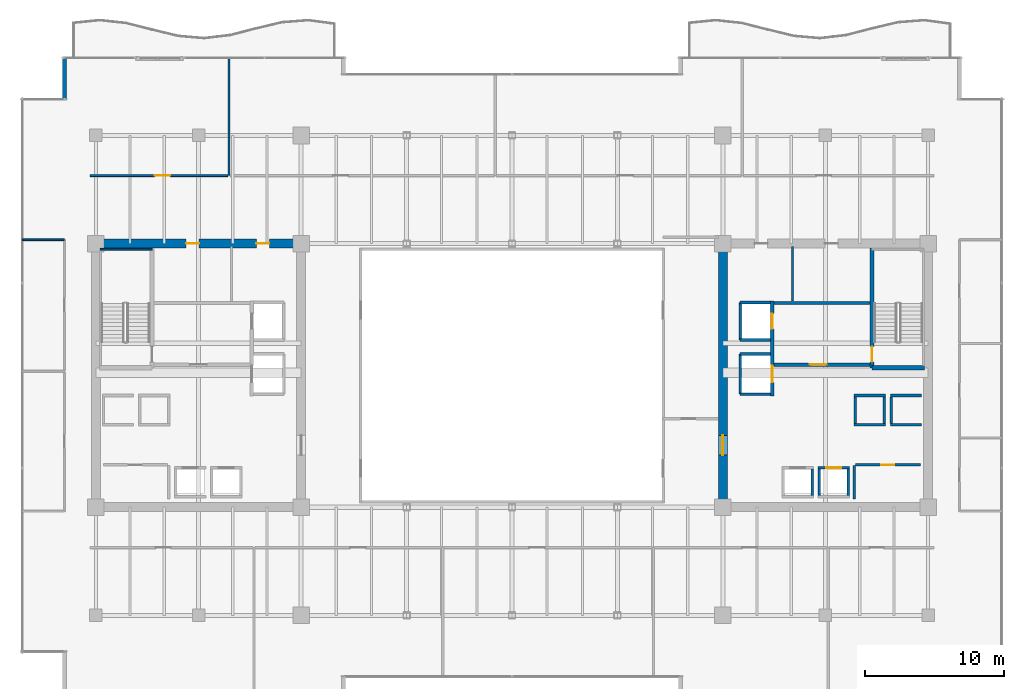
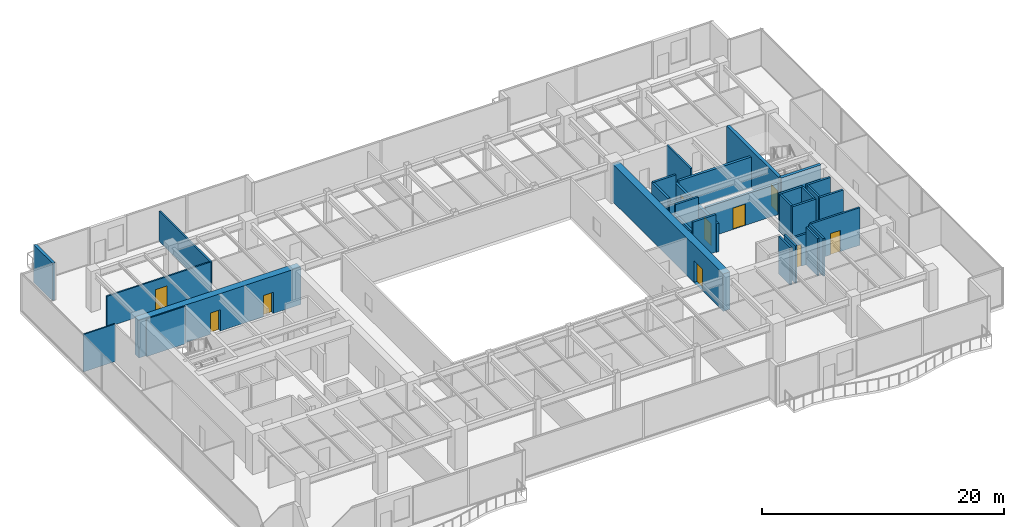
# One storey, part 25 of 30: 32 walls, 10 doors, 10 openings.
"""IFC4 building model written with IfcOpenShell, lengths in metres."""

from ifc_helpers import new_model, si_unit, direction, frame, frame_2d, origin, place, context, subcontext, project, spatial, rectangle, extrude, source, transform, mapped, material, layer, layer_set, type_object, type_shapes, element, fill, save


model = new_model("IFC4")

# Units and contexts
model_context = context("Model", 3, precision=1e-05, world=origin(), true_north=direction((0.0, 1.0)))
body_context = subcontext(model_context, "Body", "Model", "MODEL_VIEW")
ifc_project = project(units=[si_unit("LENGTHUNIT", "METRE"), si_unit("AREAUNIT", "SQUARE_METRE"), si_unit("VOLUMEUNIT", "CUBIC_METRE"), si_unit("PLANEANGLEUNIT", "RADIAN"), si_unit("MASSUNIT", "GRAM", prefix="KILO")], contexts=[model_context])

# Site, building, storey
site_placement = place(None, origin())
site = spatial("IfcSite", under=ifc_project, at=site_placement, CompositionType="ELEMENT")
building_placement = place(site_placement, origin())
building = spatial("IfcBuilding", under=site, at=building_placement, Name="Haelvirn Gate Laboratories", CompositionType="ELEMENT")
storey_placement = place(building_placement, frame((0.0, 0.0, 146.10009765625)))
storey = spatial("IfcBuildingStorey", under=building, at=storey_placement, Name="L35", CompositionType="ELEMENT", Elevation=146.10009765625)

# Walls
ifc_material_1 = material(Name="Thermally-broken bronze aluminium rainscreen & mineral wool", Category="aluminium")
ifc_layer_1 = layer(ifc_material_1, 0.280029296875, Name="EW-TERR-280")
ifc_layer_set_1 = layer_set([ifc_layer_1], Name="Thermally-broken bronze aluminium rainscreen & mineral wool")
wall_type_1 = type_object("IfcWallType", Name="EW-TERR-280", PredefinedType="STANDARD", material=ifc_layer_set_1)
wall_1_placement = place(storey_placement, frame((5.139892578125, 47.300048828125, 0.0), z_axis=(0.0, 0.0, 1.0), x_axis=(0.0, -1.0, 0.0)))
element("IfcWall", 1, at=wall_1_placement, inside=storey, type_object=wall_type_1, Name="L35 Atrium Recess Bronze Return Wall 15", PredefinedType="STANDARD", context=body_context, shape_type="SweptSolid", body=[
    extrude(rectangle(XDim=3.088134765625, YDim=0.280029296875, at=frame_2d((1.5439453125, 0.0))), origin(), (0.0, 0.0, 1.0), 3.789794921875),
])
ifc_material_2 = material(Name="Double-layer acoustic gypsum laboratory partition", Category="gypsum")
ifc_layer_2 = layer(ifc_material_2, 0.159912109375, Name="IW-ACOUST-160")
ifc_layer_set_2 = layer_set([ifc_layer_2], Name="Double-layer acoustic gypsum laboratory partition")
wall_type_2 = type_object("IfcWallType", Name="IW-ACOUST-160", PredefinedType="PARTITIONING", material=ifc_layer_set_2)
wall_2_placement = place(storey_placement, frame((17.0, 38.705078125, 0.0), z_axis=(0.0, 0.0, 1.0), x_axis=(0.0, 1.0, 0.0)))
element("IfcWall", 2, at=wall_2_placement, inside=storey, type_object=wall_type_2, Name="L35 Interior Wall IW-L35-NDIV-01", PredefinedType="PARTITIONING", context=body_context, shape_type="SweptSolid", body=[
    extrude(rectangle(XDim=8.48486328125, YDim=0.159912109375, at=frame_2d((4.242431640625, 0.0))), origin(), (0.0, 0.0, 1.0), 3.074951171875),
])
ifc_material_3 = material(Name="Lightweight acoustic gypsum board partition", Category="gypsum")
ifc_layer_3 = layer(ifc_material_3, 0.1201171875, Name="IW-PART-120")
ifc_layer_set_3 = layer_set([ifc_layer_3], Name="Lightweight acoustic gypsum board partition")
wall_type_3 = type_object("IfcWallType", Name="IW-PART-120", PredefinedType="PARTITIONING", material=ifc_layer_set_3)
wall_3_placement = place(storey_placement, frame((2.110107421875, 34.0849609375, 0.0), z_axis=(0.0, 0.0, 1.0), x_axis=(1.0, 0.0, 0.0)))
element("IfcWall", 3, at=wall_3_placement, inside=storey, type_object=wall_type_3, Name="L35 Interior Wall IW-L35-WCAP-N", PredefinedType="PARTITIONING", context=body_context, shape_type="SweptSolid", body=[
    extrude(rectangle(XDim=3.019775390625, YDim=0.1201171875, at=frame_2d((1.509765625, 0.0))), origin(), (0.0, 0.0, 1.0), 3.789794921875),
])

# Wall, opening, door
ifc_material_4 = material(Name="Acoustic mineral-wool gypsum board partition", Category="gypsum")
ifc_layer_4 = layer(ifc_material_4, 0.139892578125, Name="IW-PART-140")
ifc_layer_set_4 = layer_set([ifc_layer_4], Name="Acoustic mineral-wool gypsum board partition")
wall_type_4 = type_object("IfcWallType", Name="IW-PART-140", PredefinedType="PARTITIONING", material=ifc_layer_set_4)
wall_4_placement = place(storey_placement, frame((6.97998046875, 38.705078125, 0.0), z_axis=(0.0, 0.0, 1.0), x_axis=(1.0, 0.0, 0.0)))
wall_4 = element("IfcWall", 4, at=wall_4_placement, inside=storey, type_object=wall_type_4, Name="L35 Interior Wall IW-L35-NCORR-01", PredefinedType="PARTITIONING", context=body_context, shape_type="SweptSolid", body=[
    extrude(rectangle(XDim=9.93994140625, YDim=0.139892578125, at=frame_2d((4.969970703125, 0.0))), origin(), (0.0, 0.0, 1.0), 3.125),
])
opening_1_placement = place(wall_4_placement, frame((4.664306640625, 0.0, 0.0)))
opening_1 = element("IfcOpeningElement", 5, at=opening_1_placement, cuts=wall_4, Name="Opening D1", PredefinedType="OPENING", context=body_context, shape_type="SweptSolid", body=[
    extrude(rectangle(XDim=1.10009765625, YDim=2.179931640625, at=frame_2d((0.550048828125, 1.08984375))), frame((0.0, 0.080078125, 0.0), z_axis=(0.0, -1.0, 0.0), x_axis=(1.0, 0.0, 0.0)), (0.0, 0.0, 1.0), 0.159912109375),
])
ifc_material_5 = material(Name="Vision-panel acoustic solid-core timber lab door", Category="wood")
door_type_1 = type_object("IfcDoorType", Name="DR-LAB-1100", OperationType="NOTDEFINED", PredefinedType="DOOR", material=ifc_material_5)
shared_shape_1 = source(origin(), body_context, "Body", "SweptSolid", [
    extrude(rectangle(XDim=1.10009765625, YDim=2.179931640625, at=frame_2d((0.550048828125, 1.08984375))), frame((0.0, 0.02490234375, 0.0), z_axis=(0.0, -1.0, 0.0), x_axis=(1.0, 0.0, 0.0)), (0.0, 0.0, 1.0), 0.050048828125),
])
type_shapes(door_type_1, [shared_shape_1])
door_1_placement = place(opening_1_placement, origin())
door_1 = element("IfcDoor", 6, at=door_1_placement, inside=storey, type_object=door_type_1, Name="L35 Colloquium Conference Room Door N1", OperationType="SINGLE_SWING_LEFT", OverallHeight=2.179931640625, OverallWidth=1.10009765625, PredefinedType="DOOR", context=body_context, shape_type="MappedRepresentation", body=[
    mapped(shared_shape_1, transform((0.0, 0.0, 0.0), scale=1.0)),
])
fill(opening_1, door_1)

# Walls
ifc_material_6 = material(Name="Cement-board restroom plumbing chase wall", Category="gypsum")
ifc_layer_5 = layer(ifc_material_6, 0.155029296875, Name="IW-PLUMB-160")
ifc_layer_set_5 = layer_set([ifc_layer_5], Name="Cement-board restroom plumbing chase wall")
wall_type_5 = type_object("IfcWallType", Name="IW-PLUMB-160", PredefinedType="PLUMBINGWALL", material=ifc_layer_set_5)
wall_5_placement = place(storey_placement, frame((57.610107421875, 29.64990234375, 0.0), z_axis=(0.0, 0.0, 1.0), x_axis=(0.0, 1.0, 0.0)))
element("IfcWall", 7, at=wall_5_placement, inside=storey, type_object=wall_type_5, Name="L35 Interior Wall IW-L35-E-CDIV-1", PredefinedType="PLUMBINGWALL", context=body_context, shape_type="SweptSolid", body=[
    extrude(rectangle(XDim=3.93017578125, YDim=0.155029296875, at=frame_2d((1.965087890625, 0.0))), origin(), (0.0, 0.0, 1.0), 3.789794921875),
])
ifc_material_7 = material(Name="Concrete C40/50", Category="concrete")
ifc_layer_6 = layer(ifc_material_7, 0.179931640625, Name="IW-SHAFT-180")
ifc_layer_set_6 = layer_set([ifc_layer_6], Name="Concrete C40/50")
wall_type_6 = type_object("IfcWallType", Name="IW-SHAFT-180", PredefinedType="SOLIDWALL", material=ifc_layer_set_6)
for number, where, z_axis, x_axis, name in (
    (8, (59.550048828125, 15.64990234375, 0.0), (0.0, 0.0, 1.0), (0.0, 1.0, 0.0), "L35 Interior Wall IW-L35-PL7-SD"),
    (9, (61.64990234375, 15.64990234375, 0.0), (0.0, 0.0, 1.0), (0.0, 1.0, 0.0), "L35 Interior Wall IW-L35-PL7-SDE"),
    (10, (59.050048828125, 15.64990234375, 0.0), (0.0, 0.0, 1.0), (0.0, 1.0, 0.0), "L35 Interior Wall IW-L35-PL8-SDE"),
):
    element("IfcWall", number, at=place(storey_placement, frame(where, z_axis=z_axis, x_axis=x_axis)), inside=storey, type_object=wall_type_6, Name=name, PredefinedType="SOLIDWALL", context=body_context, shape_type="SweptSolid", body=[
        extrude(rectangle(XDim=1.900146484375, YDim=0.179931640625, at=frame_2d((0.9501953125, 0.0))), origin(), (0.0, 0.0, 1.0), 3.789794921875),
    ])
for number, where, z_axis, x_axis, name in (
    (11, (64.75, 20.85009765625, 0.0), (0.0, 0.0, 1.0), (0.0, 1.0, 0.0), "L35 Interior Wall IW-L35-PL11-SD"),
    (12, (62.14990234375, 20.85009765625, 0.0), (0.0, 0.0, 1.0), (0.0, 1.0, 0.0), "L35 Interior Wall IW-L35-PL12-SD"),
    (13, (64.25, 20.85009765625, 0.0), (0.0, 0.0, 1.0), (0.0, 1.0, 0.0), "L35 Interior Wall IW-L35-PL12-SDE"),
):
    element("IfcWall", number, at=place(storey_placement, frame(where, z_axis=z_axis, x_axis=x_axis)), inside=storey, type_object=wall_type_6, Name=name, PredefinedType="SOLIDWALL", context=body_context, shape_type="SweptSolid", body=[
        extrude(rectangle(XDim=1.89990234375, YDim=0.179931640625, at=frame_2d((0.949951171875, 0.0))), origin(), (0.0, 0.0, 1.0), 3.789794921875),
    ])

# Wall, opening, door
wall_6_placement = place(storey_placement, frame((62.14990234375, 17.85009765625, 0.0), z_axis=(0.0, 0.0, 1.0), x_axis=(1.0, 0.0, 0.0)))
wall_6 = element("IfcWall", 14, at=wall_6_placement, inside=storey, type_object=wall_type_6, Name="L35 Interior Wall IW-L35-E-FREED-LN-1", PredefinedType="SOLIDWALL", context=body_context, shape_type="SweptSolid", body=[
    extrude(rectangle(XDim=4.7001953125, YDim=0.179931640625, at=frame_2d((2.35009765625, 0.0))), origin(), (0.0, 0.0, 1.0), 3.789794921875),
])
opening_2_placement = place(wall_6_placement, frame((1.875, 0.0, 0.0)))
opening_2 = element("IfcOpeningElement", 15, at=opening_2_placement, cuts=wall_6, Name="Opening FD4", PredefinedType="OPENING", context=body_context, shape_type="SweptSolid", body=[
    extrude(rectangle(XDim=0.949951171875, YDim=2.14990234375, at=frame_2d((0.47509765625, 1.074951171875))), frame((0.0, 0.10009765625, 0.0), z_axis=(0.0, -1.0, 0.0), x_axis=(1.0, 0.0, 0.0)), (0.0, 0.0, 1.0), 0.199951171875),
])
ifc_material_8 = material(Name="Fire-rated steel SM355 core service door", Category="steel")
door_type_2 = type_object("IfcDoorType", Name="DR-FD-950", OperationType="NOTDEFINED", PredefinedType="DOOR", material=ifc_material_8)
shared_shape_2 = source(origin(), body_context, "Body", "SweptSolid", [
    extrude(rectangle(XDim=0.949951171875, YDim=2.14990234375, at=frame_2d((0.47509765625, 1.074951171875))), frame((0.0, 0.02490234375, 0.0), z_axis=(0.0, -1.0, 0.0), x_axis=(1.0, 0.0, 0.0)), (0.0, 0.0, 1.0), 0.050048828125),
])
type_shapes(door_type_2, [shared_shape_2])
door_2_placement = place(opening_2_placement, origin())
door_2 = element("IfcDoor", 16, at=door_2_placement, inside=storey, type_object=door_type_2, Name="L35 Cryogenic Specimen Biobank Door", OperationType="SINGLE_SWING_LEFT", OverallHeight=2.14990234375, OverallWidth=0.949951171875, PredefinedType="DOOR", context=body_context, shape_type="MappedRepresentation", body=[
    mapped(shared_shape_2, transform((0.0, 0.0, 0.0), scale=1.0)),
])
fill(opening_2, door_2)

# Wall
wall_7_placement = place(storey_placement, frame((62.06005859375, 15.39990234375, 0.0), z_axis=(0.0, 0.0, 1.0), x_axis=(0.0, 1.0, 0.0)))
element("IfcWall", 17, at=wall_7_placement, inside=storey, type_object=wall_type_6, Name="L35 Interior Wall IW-L35-E-FREED-LE-1", PredefinedType="SOLIDWALL", context=body_context, shape_type="SweptSolid", body=[
    extrude(rectangle(XDim=2.400146484375, YDim=0.179931640625, at=frame_2d((1.2001953125, 0.0))), origin(), (0.0, 0.0, 1.0), 3.789794921875),
])

# Wall, opening, door
ifc_layer_7 = layer(ifc_material_7, 0.199951171875, Name="IW-SHAFT-200")
ifc_layer_set_7 = layer_set([ifc_layer_7], Name="Concrete C40/50")
wall_type_7 = type_object("IfcWallType", Name="IW-SHAFT-200", PredefinedType="SOLIDWALL", material=ifc_layer_set_7)
wall_8_placement = place(storey_placement, frame((59.469970703125, 17.64990234375, 0.0), z_axis=(0.0, 0.0, 1.0), x_axis=(1.0, 0.0, 0.0)))
wall_8 = element("IfcWall", 18, at=wall_8_placement, inside=storey, type_object=wall_type_7, Name="L35 Interior Wall IW-L35-PL7-FR", PredefinedType="SOLIDWALL", context=body_context, shape_type="SweptSolid", body=[
    extrude(rectangle(XDim=2.260009765625, YDim=0.199951171875, at=frame_2d((1.1298828125, 0.0))), origin(), (0.0, 0.0, 1.0), 3.125),
])
opening_3_placement = place(wall_8_placement, frame((0.580078125, 0.0, 0.0)))
opening_3 = element("IfcOpeningElement", 19, at=opening_3_placement, cuts=wall_8, Name="Opening LD2", PredefinedType="OPENING", context=body_context, shape_type="SweptSolid", body=[
    extrude(rectangle(XDim=1.10009765625, YDim=2.219970703125, at=frame_2d((0.550048828125, 1.10986328125))), frame((0.0, 0.10986328125, 0.0), z_axis=(0.0, -1.0, 0.0), x_axis=(1.0, 0.0, 0.0)), (0.0, 0.0, 1.0), 0.219970703125),
])
ifc_material_9 = material(Name="Bronze stainless 316L sliding lift landing door")
door_type_3 = type_object("IfcDoorType", Name="DR-LD-1100", OperationType="NOTDEFINED", PredefinedType="USERDEFINED", material=ifc_material_9)
shared_shape_3 = source(origin(), body_context, "Body", "SweptSolid", [
    extrude(rectangle(XDim=1.10009765625, YDim=2.219970703125, at=frame_2d((0.550048828125, 1.10986328125))), frame((0.0, 0.02490234375, 0.0), z_axis=(0.0, -1.0, 0.0), x_axis=(1.0, 0.0, 0.0)), (0.0, 0.0, 1.0), 0.050048828125),
])
type_shapes(door_type_3, [shared_shape_3])
door_3_placement = place(opening_3_placement, origin())
door_3 = element("IfcDoor", 20, at=door_3_placement, inside=storey, type_object=door_type_3, Name="L35 Passenger Lift PL7 Landing Door", ObjectType="LANDING_DOOR", OperationType="SLIDING_TO_LEFT", OverallHeight=2.219970703125, OverallWidth=1.10009765625, PredefinedType="USERDEFINED", context=body_context, shape_type="MappedRepresentation", body=[
    mapped(shared_shape_3, transform((0.0, 0.0, 0.0), scale=1.0)),
])
fill(opening_3, door_3)

# Walls
for number, where, z_axis, x_axis, name in (
    (21, (64.669921875, 20.75, 0.0), (0.0, 0.0, 1.0), (1.0, 0.0, 0.0), "L35 Interior Wall IW-L35-PL11-FR"),
    (22, (64.669921875, 22.85009765625, 0.0), (0.0, 0.0, 1.0), (1.0, 0.0, 0.0), "L35 Interior Wall IW-L35-PL11-BK"),
    (23, (62.070068359375, 20.75, 0.0), (0.0, 0.0, 1.0), (1.0, 0.0, 0.0), "L35 Interior Wall IW-L35-PL12-FR"),
    (24, (62.070068359375, 22.85009765625, 0.0), (0.0, 0.0, 1.0), (1.0, 0.0, 0.0), "L35 Interior Wall IW-L35-PL12-BK"),
):
    element("IfcWall", number, at=place(storey_placement, frame(where, z_axis=z_axis, x_axis=x_axis)), inside=storey, type_object=wall_type_7, Name=name, PredefinedType="SOLIDWALL", context=body_context, shape_type="SweptSolid", body=[
        extrude(rectangle(XDim=2.260009765625, YDim=0.199951171875, at=frame_2d((1.1298828125, 0.0))), origin(), (0.0, 0.0, 1.0), 3.789794921875),
    ])
wall_9_placement = place(storey_placement, frame((53.85009765625, 26.85009765625, 0.0), z_axis=(0.0, 0.0, 1.0), x_axis=(0.0, 1.0, 0.0)))
element("IfcWall", 25, at=wall_9_placement, inside=storey, type_object=wall_type_7, Name="L35 Interior Wall IW-L35-FL2-BK", PredefinedType="SOLIDWALL", context=body_context, shape_type="SweptSolid", body=[
    extrude(rectangle(XDim=2.699951171875, YDim=0.199951171875, at=frame_2d((1.35009765625, 0.0))), origin(), (0.0, 0.0, 1.0), 3.789794921875),
])
wall_10_placement = place(storey_placement, frame((53.85009765625, 29.550048828125, 0.0), z_axis=(0.0, 0.0, 1.0), x_axis=(1.0, 0.0, 0.0)))
element("IfcWall", 26, at=wall_10_placement, inside=storey, type_object=wall_type_7, Name="L35 Interior Wall IW-L35-FL2-N", PredefinedType="SOLIDWALL", context=body_context, shape_type="SweptSolid", body=[
    extrude(rectangle(XDim=2.18994140625, YDim=0.199951171875, at=frame_2d((1.094970703125, 0.0))), origin(), (0.0, 0.0, 1.0), 3.789794921875),
])
wall_11_placement = place(storey_placement, frame((53.85009765625, 26.85009765625, 0.0), z_axis=(0.0, 0.0, 1.0), x_axis=(1.0, 0.0, 0.0)))
element("IfcWall", 27, at=wall_11_placement, inside=storey, type_object=wall_type_7, Name="L35 Interior Wall IW-L35-FL2-S", PredefinedType="SOLIDWALL", context=body_context, shape_type="SweptSolid", body=[
    extrude(rectangle(XDim=2.18994140625, YDim=0.199951171875, at=frame_2d((1.094970703125, 0.0))), origin(), (0.0, 0.0, 1.0), 3.18701171875),
])
wall_12_placement = place(storey_placement, frame((53.85009765625, 22.949951171875, 0.0), z_axis=(0.0, 0.0, 1.0), x_axis=(0.0, 1.0, 0.0)))
element("IfcWall", 28, at=wall_12_placement, inside=storey, type_object=wall_type_7, Name="L35 Interior Wall IW-L35-SL2-BK", PredefinedType="SOLIDWALL", context=body_context, shape_type="SweptSolid", body=[
    extrude(rectangle(XDim=2.900146484375, YDim=0.199951171875, at=frame_2d((1.4501953125, 0.0))), origin(), (0.0, 0.0, 1.0), 2.875),
])
for number, where, z_axis, x_axis, name in (
    (29, (53.85009765625, 25.85009765625, 0.0), (0.0, 0.0, 1.0), (1.0, 0.0, 0.0), "L35 Interior Wall IW-L35-SL2-N"),
    (30, (53.85009765625, 22.949951171875, 0.0), (0.0, 0.0, 1.0), (1.0, 0.0, 0.0), "L35 Interior Wall IW-L35-SL2-S"),
):
    element("IfcWall", number, at=place(storey_placement, frame(where, z_axis=z_axis, x_axis=x_axis)), inside=storey, type_object=wall_type_7, Name=name, PredefinedType="SOLIDWALL", context=body_context, shape_type="SweptSolid", body=[
        extrude(rectangle(XDim=2.18994140625, YDim=0.199951171875, at=frame_2d((1.094970703125, 0.0))), origin(), (0.0, 0.0, 1.0), 3.789794921875),
    ])

# Wall, opening, door
ifc_layer_8 = layer(ifc_material_7, 0.239990234375, Name="IW-SHAFT-240")
ifc_layer_set_8 = layer_set([ifc_layer_8], Name="Concrete C40/50")
wall_type_8 = type_object("IfcWallType", Name="IW-SHAFT-240", PredefinedType="SOLIDWALL", material=ifc_layer_set_8)
wall_13_placement = place(storey_placement, frame((56.280029296875, 25.080078125, 0.0), z_axis=(0.0, 0.0, 1.0), x_axis=(1.0, 0.0, 0.0)))
wall_13 = element("IfcWall", 31, at=wall_13_placement, inside=storey, type_object=wall_type_8, Name="L35 Interior Wall IW-L35-E-FF-S", PredefinedType="SOLIDWALL", context=body_context, shape_type="SweptSolid", body=[
    extrude(rectangle(XDim=6.919921875, YDim=0.239990234375, at=frame_2d((3.4599609375, 0.0))), origin(), (0.0, 0.0, 1.0), 3.125),
])
opening_4_placement = place(wall_13_placement, frame((2.60009765625, 0.0, 0.0)))
opening_4 = element("IfcOpeningElement", 32, at=opening_4_placement, cuts=wall_13, Name="Opening FD2", PredefinedType="OPENING", context=body_context, shape_type="SweptSolid", body=[
    extrude(rectangle(XDim=1.199951171875, YDim=2.159912109375, at=frame_2d((0.60009765625, 1.080078125))), frame((0.0, 0.1298828125, 0.0), z_axis=(0.0, -1.0, 0.0), x_axis=(1.0, 0.0, 0.0)), (0.0, 0.0, 1.0), 0.260009765625),
])
ifc_material_10 = material(Name="Fire-rated steel SM355 compartment door", Category="steel")
door_type_4 = type_object("IfcDoorType", Name="DR-FD-1200", OperationType="NOTDEFINED", PredefinedType="DOOR", material=ifc_material_10)
shared_shape_4 = source(origin(), body_context, "Body", "SweptSolid", [
    extrude(rectangle(XDim=1.199951171875, YDim=2.159912109375, at=frame_2d((0.60009765625, 1.080078125))), frame((0.0, 0.02490234375, 0.0), z_axis=(0.0, -1.0, 0.0), x_axis=(1.0, 0.0, 0.0)), (0.0, 0.0, 1.0), 0.050048828125),
])
type_shapes(door_type_4, [shared_shape_4])
door_4_placement = place(opening_4_placement, origin())
door_4 = element("IfcDoor", 33, at=door_4_placement, inside=storey, type_object=door_type_4, Name="L35 East Firefighting Lobby Door", OperationType="SINGLE_SWING_LEFT", OverallHeight=2.159912109375, OverallWidth=1.199951171875, PredefinedType="DOOR", context=body_context, shape_type="MappedRepresentation", body=[
    mapped(shared_shape_4, transform((0.0, 0.0, 0.0), scale=1.0)),
])
fill(opening_4, door_4)

# Wall
wall_14_placement = place(storey_placement, frame((56.280029296875, 29.52001953125, 0.0), z_axis=(0.0, 0.0, 1.0), x_axis=(1.0, 0.0, 0.0)))
element("IfcWall", 34, at=wall_14_placement, inside=storey, type_object=wall_type_8, Name="L35 Interior Wall IW-L35-E-FF-N", PredefinedType="SOLIDWALL", context=body_context, shape_type="SweptSolid", body=[
    extrude(rectangle(XDim=6.919921875, YDim=0.239990234375, at=frame_2d((3.4599609375, 0.0))), origin(), (0.0, 0.0, 1.0), 3.125),
])

# Wall, openings, doors
wall_15_placement = place(storey_placement, frame((56.159912109375, 22.800048828125, 0.0), z_axis=(0.0, 0.0, 1.0), x_axis=(0.0, 1.0, 0.0)))
wall_15 = element("IfcWall", 35, at=wall_15_placement, inside=storey, type_object=wall_type_8, Name="L35 Interior Wall IW-L35-E-FF-E", PredefinedType="SOLIDWALL", context=body_context, shape_type="SweptSolid", body=[
    extrude(rectangle(XDim=6.849853515625, YDim=0.239990234375, at=frame_2d((3.4248046875, 0.0))), origin(), (0.0, 0.0, 1.0), 2.875),
])
opening_5_placement = place(wall_15_placement, frame((4.85009765625, 0.0, 0.0)))
opening_5 = element("IfcOpeningElement", 36, at=opening_5_placement, cuts=wall_15, Name="Opening LD2", PredefinedType="OPENING", context=body_context, shape_type="SweptSolid", body=[
    extrude(rectangle(XDim=1.10009765625, YDim=2.219970703125, at=frame_2d((0.550048828125, 1.10986328125))), frame((0.0, 0.1298828125, 0.0), z_axis=(0.0, -1.0, 0.0), x_axis=(1.0, 0.0, 0.0)), (0.0, 0.0, 1.0), 0.260009765625),
])
opening_6_placement = place(wall_15_placement, frame((1.0, 0.0, 0.0)))
opening_6 = element("IfcOpeningElement", 37, at=opening_6_placement, cuts=wall_15, Name="Opening LD1", PredefinedType="OPENING", context=body_context, shape_type="SweptSolid", body=[
    extrude(rectangle(XDim=1.199951171875, YDim=2.219970703125, at=frame_2d((0.60009765625, 1.10986328125))), frame((0.0, 0.1298828125, 0.0), z_axis=(0.0, -1.0, 0.0), x_axis=(1.0, 0.0, 0.0)), (0.0, 0.0, 1.0), 0.260009765625),
])
door_5_placement = place(opening_5_placement, origin())
door_5 = element("IfcDoor", 38, at=door_5_placement, inside=storey, type_object=door_type_3, Name="L35 Firefighting Lift FL2 Landing Door", ObjectType="LANDING_DOOR", OperationType="SLIDING_TO_RIGHT", OverallHeight=2.219970703125, OverallWidth=1.10009765625, PredefinedType="USERDEFINED", context=body_context, shape_type="MappedRepresentation", body=[
    mapped(shared_shape_3, transform((0.0, 0.0, 0.0), scale=1.0)),
])
fill(opening_5, door_5)
ifc_material_11 = material(Name="Stainless steel 316L sliding goods landing door", Category="steel")
door_type_5 = type_object("IfcDoorType", Name="DR-LD-1200", OperationType="NOTDEFINED", PredefinedType="USERDEFINED", material=ifc_material_11)
shared_shape_5 = source(origin(), body_context, "Body", "SweptSolid", [
    extrude(rectangle(XDim=1.199951171875, YDim=2.219970703125, at=frame_2d((0.60009765625, 1.10986328125))), frame((0.0, 0.02490234375, 0.0), z_axis=(0.0, -1.0, 0.0), x_axis=(1.0, 0.0, 0.0)), (0.0, 0.0, 1.0), 0.050048828125),
])
type_shapes(door_type_5, [shared_shape_5])
door_6_placement = place(opening_6_placement, origin())
door_6 = element("IfcDoor", 39, at=door_6_placement, inside=storey, type_object=door_type_5, Name="L35 Service Lift SL2 Landing Door", ObjectType="LANDING_DOOR", OperationType="SLIDING_TO_LEFT", OverallHeight=2.219970703125, OverallWidth=1.199951171875, PredefinedType="USERDEFINED", context=body_context, shape_type="MappedRepresentation", body=[
    mapped(shared_shape_5, transform((0.0, 0.0, 0.0), scale=1.0)),
])
fill(opening_6, door_6)

ifc_material_12 = material(Name="Concrete C60/75", Category="concrete")
ifc_layer_9 = layer(ifc_material_12, 0.64990234375, Name="SW-CORE-650")
ifc_layer_set_9 = layer_set([ifc_layer_9], Name="Concrete C60/75")
wall_type_9 = type_object("IfcWallType", Name="SW-CORE-650", PredefinedType="SHEAR", material=ifc_layer_set_9)
wall_16_placement = place(storey_placement, frame((7.074951171875, 33.800048828125, 0.0), z_axis=(0.0, 0.0, 1.0), x_axis=(1.0, 0.0, 0.0)))
wall_16 = element("IfcWall", 40, at=wall_16_placement, inside=storey, type_object=wall_type_9, Name="L35 W Core Shear Wall N", PredefinedType="SHEAR", context=body_context, shape_type="SweptSolid", body=[
    extrude(rectangle(XDim=15.449951171875, YDim=0.64990234375, at=frame_2d((7.72509765625, 0.0))), origin(), (0.0, 0.0, 1.0), 3.789794921875),
])
opening_7_placement = place(wall_16_placement, frame((6.824951171875, 0.0, 0.0)))
opening_7 = element("IfcOpeningElement", 41, at=opening_7_placement, cuts=wall_16, Name="Opening FD4", PredefinedType="OPENING", context=body_context, shape_type="SweptSolid", body=[
    extrude(rectangle(XDim=0.949951171875, YDim=2.14990234375, at=frame_2d((0.47509765625, 1.074951171875))), frame((0.0, 0.3349609375, 0.0), z_axis=(0.0, -1.0, 0.0), x_axis=(1.0, 0.0, 0.0)), (0.0, 0.0, 1.0), 0.669921875),
])
opening_8_placement = place(wall_16_placement, frame((11.889892578125, 0.0, 0.0)))
opening_8 = element("IfcOpeningElement", 42, at=opening_8_placement, cuts=wall_16, Name="Opening FD4", PredefinedType="OPENING", context=body_context, shape_type="SweptSolid", body=[
    extrude(rectangle(XDim=0.949951171875, YDim=2.14990234375, at=frame_2d((0.47509765625, 1.074951171875))), frame((0.0, 0.3349609375, 0.0), z_axis=(0.0, -1.0, 0.0), x_axis=(1.0, 0.0, 0.0)), (0.0, 0.0, 1.0), 0.669921875),
])
door_7_placement = place(opening_7_placement, origin())
door_7 = element("IfcDoor", 43, at=door_7_placement, inside=storey, type_object=door_type_2, Name="L35 All-Gender Multi-Stall Restroom Fire Door", OperationType="SINGLE_SWING_RIGHT", OverallHeight=2.14990234375, OverallWidth=0.949951171875, PredefinedType="DOOR", context=body_context, shape_type="MappedRepresentation", body=[
    mapped(shared_shape_2, transform((0.0, 0.0, 0.0), scale=1.0)),
])
fill(opening_7, door_7)
door_8_placement = place(opening_8_placement, origin())
door_8 = element("IfcDoor", 44, at=door_8_placement, inside=storey, type_object=door_type_2, Name="L35 Accessible Restroom Fire Door", OperationType="SINGLE_SWING_LEFT", OverallHeight=2.14990234375, OverallWidth=0.949951171875, PredefinedType="DOOR", context=body_context, shape_type="MappedRepresentation", body=[
    mapped(shared_shape_2, transform((0.0, 0.0, 0.0), scale=1.0)),
])
fill(opening_8, door_8)

# Wall, opening, door
wall_17_placement = place(storey_placement, frame((52.60009765625, 15.125, 0.0), z_axis=(0.0, 0.0, 1.0), x_axis=(0.0, 1.0, 0.0)))
wall_17 = element("IfcWall", 45, at=wall_17_placement, inside=storey, type_object=wall_type_9, Name="L35 E Core Shear Wall W", PredefinedType="SHEAR", context=body_context, shape_type="SweptSolid", body=[
    extrude(rectangle(XDim=18.35009765625, YDim=0.64990234375, at=frame_2d((9.175048828125, 0.0))), origin(), (0.0, 0.0, 1.0), 3.789794921875),
])
opening_9_placement = place(wall_17_placement, frame((3.425048828125, 0.0, 0.0)))
opening_9 = element("IfcOpeningElement", 46, at=opening_9_placement, cuts=wall_17, Name="Opening FD1", PredefinedType="OPENING", context=body_context, shape_type="SweptSolid", body=[
    extrude(rectangle(XDim=1.419921875, YDim=2.199951171875, at=frame_2d((0.7099609375, 1.10009765625))), frame((0.0, 0.3349609375, 0.0), z_axis=(0.0, -1.0, 0.0), x_axis=(1.0, 0.0, 0.0)), (0.0, 0.0, 1.0), 0.669921875),
])
ifc_material_13 = material(Name="Fire-rated double steel SM355 lobby door", Category="steel")
door_type_6 = type_object("IfcDoorType", Name="DR-FD-1400", OperationType="NOTDEFINED", PredefinedType="DOOR", material=ifc_material_13)
shared_shape_6 = source(origin(), body_context, "Body", "SweptSolid", [
    extrude(rectangle(XDim=1.419921875, YDim=2.199951171875, at=frame_2d((0.7099609375, 1.10009765625))), frame((0.0, 0.02490234375, 0.0), z_axis=(0.0, -1.0, 0.0), x_axis=(1.0, 0.0, 0.0)), (0.0, 0.0, 1.0), 0.050048828125),
])
type_shapes(door_type_6, [shared_shape_6])
door_9_placement = place(opening_9_placement, origin())
door_9 = element("IfcDoor", 47, at=door_9_placement, inside=storey, type_object=door_type_6, Name="L35 East Core Lift Lobby Fire Door", OperationType="DOUBLE_DOOR_SINGLE_SWING", OverallHeight=2.199951171875, OverallWidth=1.419921875, PredefinedType="DOOR", context=body_context, shape_type="MappedRepresentation", body=[
    mapped(shared_shape_6, transform((0.0, 0.0, 0.0), scale=1.0)),
])
fill(opening_9, door_9)

# Wall
ifc_material_14 = material(Name="Concrete C50/60", Category="concrete")
ifc_layer_10 = layer(ifc_material_14, 0.1201171875, Name="SW-LINER-120")
ifc_layer_set_10 = layer_set([ifc_layer_10], Name="Concrete C50/60")
wall_type_10 = type_object("IfcWallType", Name="SW-LINER-120", PredefinedType="SOLIDWALL", material=ifc_layer_set_10)
wall_18_placement = place(storey_placement, frame((7.72998046875, 33.39990234375, 0.0), z_axis=(0.0, 0.0, 1.0), x_axis=(1.0, 0.0, 0.0)))
element("IfcWall", 48, at=wall_18_placement, inside=storey, type_object=wall_type_10, Name="L35 W Core Stair Shaft Liner Wall N", PredefinedType="SOLIDWALL", context=body_context, shape_type="SweptSolid", body=[
    extrude(rectangle(XDim=3.719970703125, YDim=0.1201171875, at=frame_2d((1.85986328125, 0.0))), origin(), (0.0, 0.0, 1.0), 3.789794921875),
])

# Wall, opening, door
ifc_layer_11 = layer(ifc_material_14, 0.300048828125, Name="SW-STAIR-300")
ifc_layer_set_11 = layer_set([ifc_layer_11], Name="Concrete C50/60")
wall_type_11 = type_object("IfcWallType", Name="SW-STAIR-300", PredefinedType="SHEAR", material=ifc_layer_set_11)
wall_19_placement = place(storey_placement, frame((63.35009765625, 24.85009765625, 0.0), z_axis=(0.0, 0.0, 1.0), x_axis=(0.0, 1.0, 0.0)))
wall_19 = element("IfcWall", 49, at=wall_19_placement, inside=storey, type_object=wall_type_11, Name="L35 E Core Stair Shaft Structural Wall IN", PredefinedType="SHEAR", context=body_context, shape_type="SweptSolid", body=[
    extrude(rectangle(XDim=8.6298828125, YDim=0.300048828125, at=frame_2d((4.31494140625, 0.0))), origin(), (0.0, 0.0, 1.0), 3.789794921875),
])
opening_10_placement = place(wall_19_placement, frame((0.419921875, 0.0, 0.0)))
opening_10 = element("IfcOpeningElement", 50, at=opening_10_placement, cuts=wall_19, Name="Opening FD3", PredefinedType="OPENING", context=body_context, shape_type="SweptSolid", body=[
    extrude(rectangle(XDim=1.10009765625, YDim=2.14990234375, at=frame_2d((0.550048828125, 1.074951171875))), frame((0.0, 0.16015625, 0.0), z_axis=(0.0, -1.0, 0.0), x_axis=(1.0, 0.0, 0.0)), (0.0, 0.0, 1.0), 0.320068359375),
])
ifc_material_15 = material(Name="Fire-rated steel SM355 escape stair door", Category="steel")
door_type_7 = type_object("IfcDoorType", Name="DR-FD-1100", OperationType="NOTDEFINED", PredefinedType="DOOR", material=ifc_material_15)
shared_shape_7 = source(origin(), body_context, "Body", "SweptSolid", [
    extrude(rectangle(XDim=1.10009765625, YDim=2.14990234375, at=frame_2d((0.550048828125, 1.074951171875))), frame((0.0, 0.02490234375, 0.0), z_axis=(0.0, -1.0, 0.0), x_axis=(1.0, 0.0, 0.0)), (0.0, 0.0, 1.0), 0.050048828125),
])
type_shapes(door_type_7, [shared_shape_7])
door_10_placement = place(opening_10_placement, origin())
door_10 = element("IfcDoor", 51, at=door_10_placement, inside=storey, type_object=door_type_7, Name="L35 Escape Stair ST2 Fire Door", OperationType="SINGLE_SWING_RIGHT", OverallHeight=2.14990234375, OverallWidth=1.10009765625, PredefinedType="DOOR", context=body_context, shape_type="MappedRepresentation", body=[
    mapped(shared_shape_7, transform((0.0, 0.0, 0.0), scale=1.0)),
])
fill(opening_10, door_10)

# Wall
wall_20_placement = place(storey_placement, frame((63.35009765625, 24.85009765625, 0.0), z_axis=(0.0, 0.0, 1.0), x_axis=(1.0, 0.0, 0.0)))
element("IfcWall", 52, at=wall_20_placement, inside=storey, type_object=wall_type_11, Name="L35 E Core Stair Shaft Structural Wall S", PredefinedType="SHEAR", context=body_context, shape_type="SweptSolid", body=[
    extrude(rectangle(XDim=3.7998046875, YDim=0.300048828125, at=frame_2d((1.89990234375, 0.0))), origin(), (0.0, 0.0, 1.0), 3.789794921875),
])

save(model, "model.ifc")
